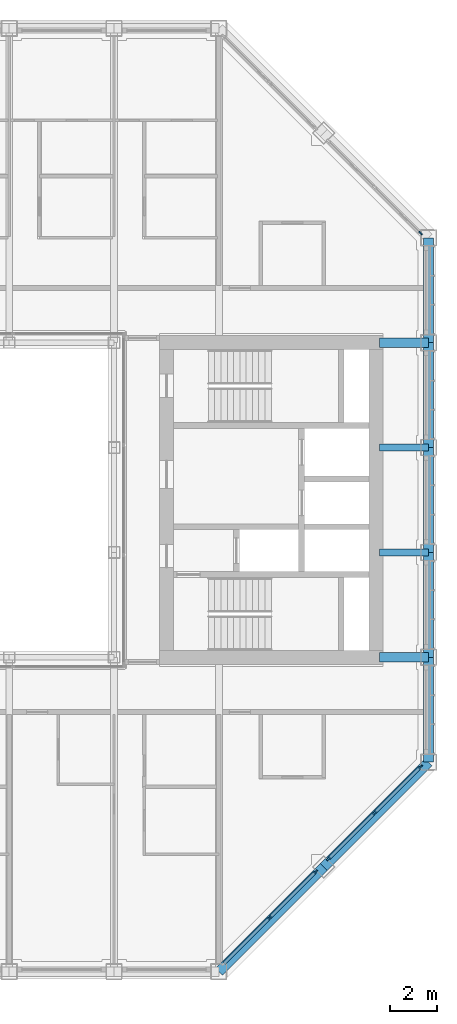
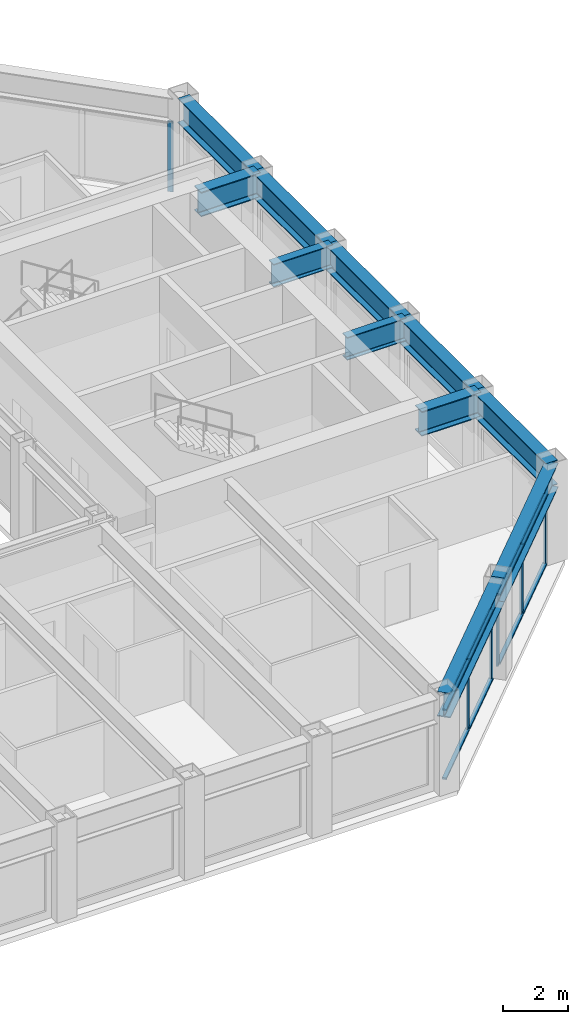
# One storey, part 5 of 18: 14 members, 11 beams, 3 elements without a shape of their own.
"""IFC4 building model written with IfcOpenShell, lengths in metres."""

from ifc_helpers import new_model, si_unit, direction, frame, origin, origin_2d, place, context, subcontext, project, spatial, rectangle, i_section, extrude, material, material_profile, profile_set, type_object, element, aggregate, save


model = new_model("IFC4")

# Units and contexts
model_context = context("Model", 3, precision=1e-05, world=origin(), true_north=direction((0.0, 1.0)))
body_context = subcontext(model_context, "Body", "Model", "MODEL_VIEW")
ifc_project = project(units=[si_unit("LENGTHUNIT", "METRE"), si_unit("AREAUNIT", "SQUARE_METRE"), si_unit("VOLUMEUNIT", "CUBIC_METRE"), si_unit("PLANEANGLEUNIT", "RADIAN"), si_unit("MASSUNIT", "GRAM", prefix="KILO")], contexts=[model_context])

# Site, building, storey
site_placement = place(None, origin())
site = spatial("IfcSite", under=ifc_project, at=site_placement, CompositionType="ELEMENT")
building_placement = place(site_placement, origin())
building = spatial("IfcBuilding", under=site, at=building_placement, Name="Msasa Ring Tower", CompositionType="ELEMENT")
storey_placement = place(building_placement, frame((0.0, 0.0, 245.800048828125)))
storey = spatial("IfcBuildingStorey", under=building, at=storey_placement, Name="L64", CompositionType="ELEMENT", Elevation=245.800048828125)

# Curtain wall, members
ifc_material_1 = material(Name="Aluminium curtain wall with clear glass", Category="aluminium")
curtain_wall_type = type_object("IfcCurtainWallType", Name="CW-C CHAMFER CORNER CURTAIN WALL", PredefinedType="NOTDEFINED", material=ifc_material_1)
curtain_wall_1_placement = place(storey_placement, origin())
curtain_wall_1 = element("IfcCurtainWall", 1, at=curtain_wall_1_placement, inside=storey, type_object=curtain_wall_type, Name="Chamfer corner curtain wall SE L64", PredefinedType="NOTDEFINED")
ifc_material_2 = material(Name="Aluminium mullion", Category="aluminium")
ifc_material_profile_1 = material_profile(ifc_material_2, rectangle(XDim=0.06494140625, YDim=0.179931640625, at=origin_2d()), Name="AL 65x180")
ifc_profile_set_1 = profile_set([ifc_material_profile_1], Name="Aluminium mullion")
member_type_1 = type_object("IfcMemberType", Name="CW-C MULLION 65x180", PredefinedType="MULLION", material=ifc_profile_set_1)
member_1_placement = place(storey_placement, frame((13.42919921875, -17.92919921875, 0.0), z_axis=(0.0, 0.0, 1.0), x_axis=(-0.707106781187, 0.707106781187, 0.0)))
member_1 = element("IfcMember", 2, at=member_1_placement, type_object=member_type_1, Name="CW-C mullion 2", PredefinedType="MULLION", context=body_context, shape_type="SweptSolid", body=[
    extrude(rectangle(XDim=0.06494140625, YDim=0.179931640625, at=origin_2d()), origin(), (0.0, 0.0, 1.0), 2.62890625),
])
member_2_placement = place(storey_placement, frame((15.4052734375, -15.953369140625, 0.0), z_axis=(0.0, 0.0, 1.0), x_axis=(-0.707106781187, 0.707106781187, 0.0)))
member_2 = element("IfcMember", 3, at=member_2_placement, type_object=member_type_1, Name="CW-C mullion 3", PredefinedType="MULLION", context=body_context, shape_type="SweptSolid", body=[
    extrude(rectangle(XDim=0.06494140625, YDim=0.179931640625, at=origin_2d()), origin(), (0.0, 0.0, 1.0), 2.62890625),
])

curtain_wall_2_placement = place(storey_placement, origin())
curtain_wall_2 = element("IfcCurtainWall", 4, at=curtain_wall_2_placement, inside=storey, type_object=curtain_wall_type, Name="Chamfer corner curtain wall SE L64", PredefinedType="NOTDEFINED")
member_3_placement = place(storey_placement, frame((15.953369140625, -15.4052734375, 0.0), z_axis=(0.0, 0.0, 1.0), x_axis=(-0.707106781187, 0.707106781187, 0.0)))
member_3 = element("IfcMember", 5, at=member_3_placement, type_object=member_type_1, Name="CW-C mullion 1", PredefinedType="MULLION", context=body_context, shape_type="SweptSolid", body=[
    extrude(rectangle(XDim=0.06494140625, YDim=0.179931640625, at=origin_2d()), origin(), (0.0, 0.0, 1.0), 2.62890625),
])
member_4_placement = place(storey_placement, frame((17.92919921875, -13.42919921875, 0.0), z_axis=(0.0, 0.0, 1.0), x_axis=(-0.707106781187, 0.707106781187, 0.0)))
member_4 = element("IfcMember", 6, at=member_4_placement, type_object=member_type_1, Name="CW-C mullion 2", PredefinedType="MULLION", context=body_context, shape_type="SweptSolid", body=[
    extrude(rectangle(XDim=0.06494140625, YDim=0.179931640625, at=origin_2d()), origin(), (0.0, 0.0, 1.0), 2.62890625),
])
member_5_placement = place(storey_placement, frame((19.9052734375, -11.453369140625, 0.0), z_axis=(0.0, 0.0, 1.0), x_axis=(-0.707106781187, 0.707106781187, 0.0)))
member_5 = element("IfcMember", 7, at=member_5_placement, type_object=member_type_1, Name="CW-C mullion 3", PredefinedType="MULLION", context=body_context, shape_type="SweptSolid", body=[
    extrude(rectangle(XDim=0.06494140625, YDim=0.179931640625, at=origin_2d()), origin(), (0.0, 0.0, 1.0), 2.62890625),
])

# Curtain wall, member
curtain_wall_3_placement = place(storey_placement, origin())
curtain_wall_3 = element("IfcCurtainWall", 8, at=curtain_wall_3_placement, inside=storey, type_object=curtain_wall_type, Name="Chamfer corner curtain wall NE L64", PredefinedType="NOTDEFINED")
member_6_placement = place(storey_placement, frame((19.9052734375, 11.453369140625, 0.0), z_axis=(0.0, 0.0, 1.0), x_axis=(-0.707106781187, -0.707106781187, 0.0)))
member_6 = element("IfcMember", 9, at=member_6_placement, type_object=member_type_1, Name="CW-C mullion 1", PredefinedType="MULLION", context=body_context, shape_type="SweptSolid", body=[
    extrude(rectangle(XDim=0.06494140625, YDim=0.179931640625, at=origin_2d()), origin(), (0.0, 0.0, 1.0), 2.62890625),
])
aggregate(curtain_wall_3, [member_6])

# Member
ifc_material_3 = material(Name="Aluminium transom", Category="aluminium")
ifc_material_profile_2 = material_profile(ifc_material_3, rectangle(XDim=0.139892578125, YDim=0.06494140625, at=origin_2d()), Name="AL 65x140")
ifc_profile_set_2 = profile_set([ifc_material_profile_2], Name="Aluminium transom")
member_type_2 = type_object("IfcMemberType", Name="CW-C TRANSOM 65x140", PredefinedType="USERDEFINED", material=ifc_profile_set_2)
member_7_placement = place(storey_placement, frame((11.476318359375, -19.88232421875, 0.032470703125), z_axis=(0.707106781187, 0.707106781187, 0.0), x_axis=(-0.707106781187, 0.707106781187, 0.0)))
member_7 = element("IfcMember", 10, at=member_7_placement, type_object=member_type_2, Name="CW-C transom 1.1", ObjectType="TRANSOM", PredefinedType="USERDEFINED", context=body_context, shape_type="SweptSolid", body=[
    extrude(rectangle(XDim=0.139892578125, YDim=0.06494140625, at=origin_2d()), origin(), (0.0, 0.0, 1.0), 2.729248046875),
])

member_8_placement = place(storey_placement, frame((11.476318359375, -19.88232421875, 2.596435546875), z_axis=(0.707106781187, 0.707106781187, 0.0), x_axis=(-0.707106781187, 0.707106781187, 0.0)))
member_8 = element("IfcMember", 11, at=member_8_placement, type_object=member_type_2, Name="CW-C transom 1.2", ObjectType="TRANSOM", PredefinedType="USERDEFINED", context=body_context, shape_type="SweptSolid", body=[
    extrude(rectangle(XDim=0.139892578125, YDim=0.06494140625, at=origin_2d()), origin(), (0.0, 0.0, 1.0), 2.729248046875),
])

member_9_placement = place(storey_placement, frame((13.452392578125, -17.90625, 0.032470703125), z_axis=(0.707106781187, 0.707106781187, 0.0), x_axis=(-0.707106781187, 0.707106781187, 0.0)))
member_9 = element("IfcMember", 12, at=member_9_placement, type_object=member_type_2, Name="CW-C transom 2.1", ObjectType="TRANSOM", PredefinedType="USERDEFINED", context=body_context, shape_type="SweptSolid", body=[
    extrude(rectangle(XDim=0.139892578125, YDim=0.06494140625, at=origin_2d()), origin(), (0.0, 0.0, 1.0), 2.729248046875),
])

member_10_placement = place(storey_placement, frame((13.452392578125, -17.90625, 2.596435546875), z_axis=(0.707106781187, 0.707106781187, 0.0), x_axis=(-0.707106781187, 0.707106781187, 0.0)))
member_10 = element("IfcMember", 13, at=member_10_placement, type_object=member_type_2, Name="CW-C transom 2.2", ObjectType="TRANSOM", PredefinedType="USERDEFINED", context=body_context, shape_type="SweptSolid", body=[
    extrude(rectangle(XDim=0.139892578125, YDim=0.06494140625, at=origin_2d()), origin(), (0.0, 0.0, 1.0), 2.729248046875),
])

aggregate(curtain_wall_1, [member_1, member_2, member_7, member_8, member_9, member_10])

member_11_placement = place(storey_placement, frame((15.976318359375, -15.38232421875, 0.032470703125), z_axis=(0.707106781187, 0.707106781187, 0.0), x_axis=(-0.707106781187, 0.707106781187, 0.0)))
member_11 = element("IfcMember", 14, at=member_11_placement, type_object=member_type_2, Name="CW-C transom 1.1", ObjectType="TRANSOM", PredefinedType="USERDEFINED", context=body_context, shape_type="SweptSolid", body=[
    extrude(rectangle(XDim=0.139892578125, YDim=0.06494140625, at=origin_2d()), origin(), (0.0, 0.0, 1.0), 2.729248046875),
])

member_12_placement = place(storey_placement, frame((15.976318359375, -15.38232421875, 2.596435546875), z_axis=(0.707106781187, 0.707106781187, 0.0), x_axis=(-0.707106781187, 0.707106781187, 0.0)))
member_12 = element("IfcMember", 15, at=member_12_placement, type_object=member_type_2, Name="CW-C transom 1.2", ObjectType="TRANSOM", PredefinedType="USERDEFINED", context=body_context, shape_type="SweptSolid", body=[
    extrude(rectangle(XDim=0.139892578125, YDim=0.06494140625, at=origin_2d()), origin(), (0.0, 0.0, 1.0), 2.729248046875),
])

member_13_placement = place(storey_placement, frame((17.952392578125, -13.40625, 0.032470703125), z_axis=(0.707106781187, 0.707106781187, 0.0), x_axis=(-0.707106781187, 0.707106781187, 0.0)))
member_13 = element("IfcMember", 16, at=member_13_placement, type_object=member_type_2, Name="CW-C transom 2.1", ObjectType="TRANSOM", PredefinedType="USERDEFINED", context=body_context, shape_type="SweptSolid", body=[
    extrude(rectangle(XDim=0.139892578125, YDim=0.06494140625, at=origin_2d()), origin(), (0.0, 0.0, 1.0), 2.729248046875),
])

member_14_placement = place(storey_placement, frame((17.952392578125, -13.40625, 2.596435546875), z_axis=(0.707106781187, 0.707106781187, 0.0), x_axis=(-0.707106781187, 0.707106781187, 0.0)))
member_14 = element("IfcMember", 17, at=member_14_placement, type_object=member_type_2, Name="CW-C transom 2.2", ObjectType="TRANSOM", PredefinedType="USERDEFINED", context=body_context, shape_type="SweptSolid", body=[
    extrude(rectangle(XDim=0.139892578125, YDim=0.06494140625, at=origin_2d()), origin(), (0.0, 0.0, 1.0), 2.729248046875),
])

aggregate(curtain_wall_2, [member_3, member_4, member_5, member_11, member_12, member_13, member_14])

# Beams
ifc_material_4 = material(Name="Steel S355", Category="steel")
ifc_material_profile_3 = material_profile(ifc_material_4, i_section(OverallWidth=0.293701171875, OverallDepth=0.850830078125, WebThickness=0.01611328125, FlangeThickness=0.02685546875, FilletRadius=0.017822265625, at=origin_2d()), Name="UB 838x292x226")
ifc_profile_set_3 = profile_set([ifc_material_profile_3], Name="Steel S355")
beam_type_1 = type_object("IfcBeamType", Name="FB5 UB 838x292x226", PredefinedType="BEAM", material=ifc_profile_set_3)
for number, where, z_axis, x_axis, name in (
    (18, (20.25, -2.25, 3.12451171875), (-1.0, 0.0, 0.0), (0.0, -1.0, 0.0), "Floor beam E -2.25 under L65"),
    (19, (20.25, 2.25, 3.12451171875), (-1.0, 0.0, 0.0), (0.0, -1.0, 0.0), "Floor beam E +2.25 under L65"),
):
    element("IfcBeam", number, at=place(storey_placement, frame(where, z_axis=z_axis, x_axis=x_axis)), inside=storey, type_object=beam_type_1, Name=name, PredefinedType="BEAM", context=body_context, shape_type="SweptSolid", body=[
        extrude(i_section(OverallWidth=0.293701171875, OverallDepth=0.850830078125, WebThickness=0.01611328125, FlangeThickness=0.02685546875, FilletRadius=0.017822265625, at=origin_2d()), origin(), (0.0, 0.0, 1.0), 2.10009765625),
    ])
ifc_material_5 = material(Name="Steel S355", Category="steel")
ifc_material_profile_4 = material_profile(ifc_material_5, i_section(OverallWidth=0.42041015625, OverallDepth=0.9208984375, WebThickness=0.021484375, FlangeThickness=0.03662109375, FilletRadius=0.024169921875, at=origin_2d()), Name="UB 914x419x388")
ifc_profile_set_4 = profile_set([ifc_material_profile_4], Name="Steel S355")
beam_type_2 = type_object("IfcBeamType", Name="GB1 UB 914x419x388", PredefinedType="BEAM", material=ifc_profile_set_4)
for number, where, z_axis, x_axis, name in (
    (20, (18.14990234375, 6.75, 3.08935546875), (1.0, 0.0, 0.0), (0.0, 1.0, 0.0), "Girder E +6.75 under L65"),
    (21, (18.14990234375, -6.75, 3.08935546875), (1.0, 0.0, 0.0), (0.0, 1.0, 0.0), "Girder E -6.75 under L65"),
):
    element("IfcBeam", number, at=place(storey_placement, frame(where, z_axis=z_axis, x_axis=x_axis)), inside=storey, type_object=beam_type_2, Name=name, PredefinedType="BEAM", context=body_context, shape_type="SweptSolid", body=[
        extrude(i_section(OverallWidth=0.42041015625, OverallDepth=0.9208984375, WebThickness=0.021484375, FlangeThickness=0.03662109375, FilletRadius=0.024169921875, at=origin_2d()), origin(), (0.0, 0.0, 1.0), 2.10009765625),
    ])
ifc_material_6 = material(Name="Steel S355", Category="steel")
ifc_material_profile_5 = material_profile(ifc_material_6, i_section(OverallWidth=0.42041015625, OverallDepth=0.9208984375, WebThickness=0.021484375, FlangeThickness=0.03662109375, FilletRadius=0.024169921875, at=origin_2d()), Name="UB 914x419x388")
ifc_profile_set_5 = profile_set([ifc_material_profile_5], Name="Steel S355")
beam_type_3 = type_object("IfcBeamType", Name="SB1 UB 914x419x388", PredefinedType="SPANDREL", material=ifc_profile_set_5)
for number, where, z_axis, x_axis, name in (
    (22, (11.25, -20.25, 3.08935546875), (0.707106781187, 0.707106781187, 0.0), (-0.707106781187, 0.707106781187, 0.0), "Spandrel S+11.25 to SE under L65"),
    (23, (15.75, -15.75, 3.08935546875), (0.707106781187, 0.707106781187, 0.0), (-0.707106781187, 0.707106781187, 0.0), "Spandrel SE to E-11.25 under L65"),
):
    element("IfcBeam", number, at=place(storey_placement, frame(where, z_axis=z_axis, x_axis=x_axis)), inside=storey, type_object=beam_type_3, Name=name, PredefinedType="SPANDREL", context=body_context, shape_type="SweptSolid", body=[
        extrude(i_section(OverallWidth=0.42041015625, OverallDepth=0.9208984375, WebThickness=0.021484375, FlangeThickness=0.03662109375, FilletRadius=0.024169921875, at=origin_2d()), origin(), (0.0, 0.0, 1.0), 6.364013671875),
    ])
for number, where, z_axis, x_axis, name in (
    (24, (20.25, -11.25, 3.08935546875), (0.0, 1.0, 0.0), (-1.0, 0.0, 0.0), "Spandrel E-11.25 to E-6.75 under L65"),
    (25, (20.25, -6.75, 3.08935546875), (0.0, 1.0, 0.0), (-1.0, 0.0, 0.0), "Spandrel E-6.75 to E-2.25 under L65"),
    (26, (20.25, -2.25, 3.08935546875), (0.0, 1.0, 0.0), (-1.0, 0.0, 0.0), "Spandrel E-2.25 to E+2.25 under L65"),
    (27, (20.25, 2.25, 3.08935546875), (0.0, 1.0, 0.0), (-1.0, 0.0, 0.0), "Spandrel E+2.25 to E+6.75 under L65"),
    (28, (20.25, 6.75, 3.08935546875), (0.0, 1.0, 0.0), (-1.0, 0.0, 0.0), "Spandrel E+6.75 to E+11.25 under L65"),
):
    element("IfcBeam", number, at=place(storey_placement, frame(where, z_axis=z_axis, x_axis=x_axis)), inside=storey, type_object=beam_type_3, Name=name, PredefinedType="SPANDREL", context=body_context, shape_type="SweptSolid", body=[
        extrude(i_section(OverallWidth=0.42041015625, OverallDepth=0.9208984375, WebThickness=0.021484375, FlangeThickness=0.03662109375, FilletRadius=0.024169921875, at=origin_2d()), origin(), (0.0, 0.0, 1.0), 4.5),
    ])

save(model, "model.ifc")
